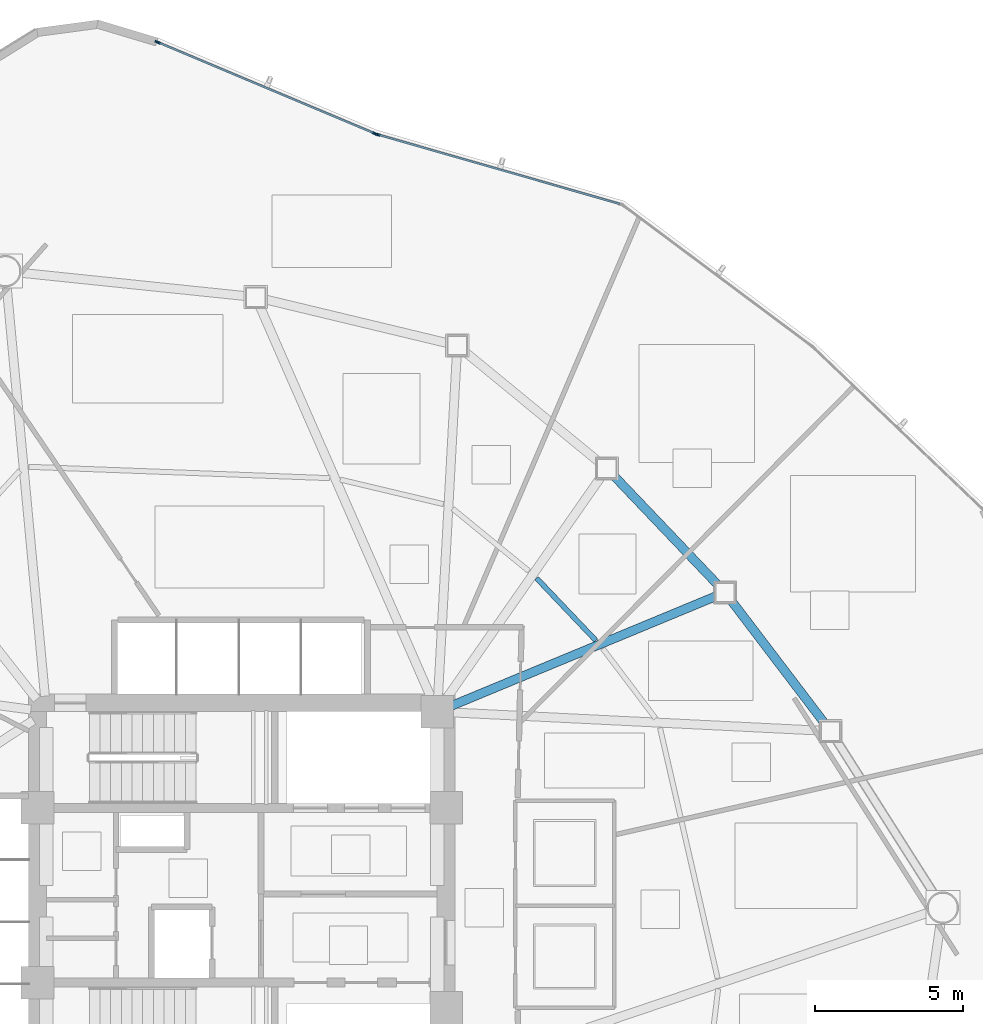
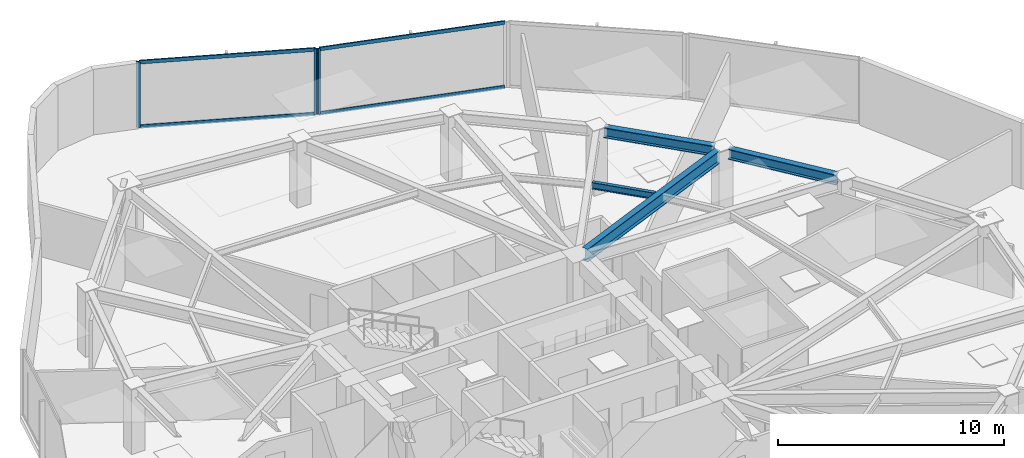
# One storey, part 8 of 17: 7 members, 4 beams, 2 elements without a shape of their own.
"""IFC4 building model written with IfcOpenShell, lengths in metres."""

from ifc_helpers import new_model, si_unit, direction, frame, origin, origin_2d, place, context, subcontext, project, spatial, hollow_rectangle, i_section, extrude, source, transform, mapped, material, layer, layer_set, material_profile, profile_set, type_object, type_shapes, element, aggregate, save


model = new_model("IFC4")

# Units and contexts
model_context = context("Model", 3, precision=1e-05, world=origin(), true_north=direction((0.0, 1.0)))
body_context = subcontext(model_context, "Body", "Model", "MODEL_VIEW")
ifc_project = project(units=[si_unit("LENGTHUNIT", "METRE"), si_unit("AREAUNIT", "SQUARE_METRE"), si_unit("VOLUMEUNIT", "CUBIC_METRE"), si_unit("PLANEANGLEUNIT", "RADIAN"), si_unit("MASSUNIT", "GRAM", prefix="KILO")], contexts=[model_context])

# Site, building, storey
site_placement = place(None, origin())
site = spatial("IfcSite", under=ifc_project, at=site_placement, CompositionType="ELEMENT")
building_placement = place(site_placement, origin())
building = spatial("IfcBuilding", under=site, at=building_placement, Name="Tavelor Broadcast Tower", CompositionType="ELEMENT")
storey_placement = place(building_placement, frame((0.0, 0.0, 115.60009765625)))
storey = spatial("IfcBuildingStorey", under=building, at=storey_placement, Name="L26", CompositionType="ELEMENT", Elevation=115.60009765625)

# Beams
ifc_material_1 = material(Name="Steel S355", Category="steel")
ifc_material_profile_1 = material_profile(ifc_material_1, i_section(OverallWidth=0.169921875, OverallDepth=0.360107421875, WebThickness=0.008056640625, FlangeThickness=0.0126953125, at=origin_2d()), Name="IPE 360")
ifc_profile_set_1 = profile_set([ifc_material_profile_1], Name="Steel S355")
beam_type_1 = type_object("IfcBeamType", Name="Composite Floor Joist T3 IPE 360", PredefinedType="JOIST", material=ifc_profile_set_1)
beam_1_placement = place(storey_placement, frame((61.960205078125, 53.60400390625, 3.369873046875), z_axis=(-0.689436692526, 0.724345944283, 0.0), x_axis=(-0.724345944283, -0.689436692526, 0.0)))
element("IfcBeam", 1, at=beam_1_placement, inside=storey, type_object=beam_type_1, Name="L26 Secondary Composite Floor Joist 15", PredefinedType="JOIST", context=body_context, shape_type="SweptSolid", body=[
    extrude(i_section(OverallWidth=0.169921875, OverallDepth=0.360107421875, WebThickness=0.008056640625, FlangeThickness=0.0126953125, at=origin_2d()), origin(), (0.0, 0.0, 1.0), 2.90234375),
])
ifc_material_profile_2 = material_profile(ifc_material_1, i_section(OverallWidth=0.300048828125, OverallDepth=0.550048828125, WebThickness=0.014892578125, FlangeThickness=0.029052734375, at=origin_2d()), Name="HEB 550")
ifc_profile_set_2 = profile_set([ifc_material_profile_2], Name="Steel S355")
beam_type_2 = type_object("IfcBeamType", Name="Perimeter Spandrel Beam T3 HEB 550", PredefinedType="SPANDREL", material=ifc_profile_set_2)
beam_2_placement = place(storey_placement, frame((69.6826171875, 50.8115234375, 3.27490234375), z_axis=(-0.605507005058, 0.795839975639, 0.0), x_axis=(-0.795839975639, -0.605507005058, 0.0)))
element("IfcBeam", 2, at=beam_2_placement, inside=storey, type_object=beam_type_2, Name="L26 Framed-Tube Ring Spandrel 14", PredefinedType="SPANDREL", context=body_context, shape_type="SweptSolid", body=[
    extrude(i_section(OverallWidth=0.300048828125, OverallDepth=0.550048828125, WebThickness=0.014892578125, FlangeThickness=0.029052734375, at=origin_2d()), origin(), (0.0, 0.0, 1.0), 5.214111328125),
])
beam_3_placement = place(storey_placement, frame((66.090087890625, 55.471923828125, 3.27490234375), z_axis=(-0.689928162502, 0.723877842309, 0.0), x_axis=(-0.723877842309, -0.689928162502, 0.0)))
element("IfcBeam", 3, at=beam_3_placement, inside=storey, type_object=beam_type_2, Name="L26 Framed-Tube Ring Spandrel 15", PredefinedType="SPANDREL", context=body_context, shape_type="SweptSolid", body=[
    extrude(i_section(OverallWidth=0.300048828125, OverallDepth=0.550048828125, WebThickness=0.014892578125, FlangeThickness=0.029052734375, at=origin_2d()), origin(), (0.0, 0.0, 1.0), 5.113037109375),
])
ifc_material_profile_3 = material_profile(ifc_material_1, i_section(OverallWidth=0.300048828125, OverallDepth=0.68994140625, WebThickness=0.014404296875, FlangeThickness=0.027099609375, at=origin_2d()), Name="HEA 700")
ifc_profile_set_3 = profile_set([ifc_material_profile_3], Name="Steel S355")
beam_type_3 = type_object("IfcBeamType", Name="Radial Floor Girder T3 HEA 700", PredefinedType="BEAM", material=ifc_profile_set_3)
beam_4_placement = place(storey_placement, frame((57.087890625, 51.402099609375, 3.204833984375), z_axis=(0.92381625254, 0.382836168018, 0.0), x_axis=(-0.382836168018, 0.92381625254, 0.0)))
element("IfcBeam", 4, at=beam_4_placement, inside=storey, type_object=beam_type_3, Name="L26 Radial Primary Floor Girder 15", PredefinedType="BEAM", context=body_context, shape_type="SweptSolid", body=[
    extrude(i_section(OverallWidth=0.300048828125, OverallDepth=0.68994140625, WebThickness=0.014404296875, FlangeThickness=0.027099609375, at=origin_2d()), origin(), (0.0, 0.0, 1.0), 9.659423828125),
])

# Curtain wall, member
ifc_material_2 = material(Name="Architectural Anodized Aluminium", Category="aluminium")
ifc_layer = layer(ifc_material_2, 0.18994140625)
ifc_layer_set = layer_set([ifc_layer], Name="Architectural Anodized Aluminium")
curtain_wall_type = type_object("IfcCurtainWallType", Name="Tower Mid-Zone Acoustic Curtain Wall CW03", PredefinedType="NOTDEFINED", material=ifc_layer_set)
curtain_wall_1_placement = place(storey_placement, origin())
curtain_wall_1 = element("IfcCurtainWall", 5, at=curtain_wall_1_placement, inside=storey, type_object=curtain_wall_type, Name="L26 Curtain Wall CW03 Run 263", PredefinedType="NOTDEFINED")
ifc_material_profile_4 = material_profile(ifc_material_2, hollow_rectangle(XDim=0.068115234375, YDim=0.18994140625, WallThickness=0.02197265625, at=origin_2d()), Name="RHS 68x190x22")
ifc_profile_set_4 = profile_set([ifc_material_profile_4], Name="Architectural Anodized Aluminium")
member_type_1 = type_object("IfcMemberType", Name="CW03 Extruded Aluminium Mullion 68x190", PredefinedType="MULLION", material=ifc_profile_set_4)
shared_shape_1 = source(origin(), body_context, "Body", "SweptSolid", [
    extrude(hollow_rectangle(XDim=0.068115234375, YDim=0.18994140625, WallThickness=0.02197265625, at=origin_2d()), origin(), (0.0, 0.0, 1.0), 3.5498046875),
])
type_shapes(member_type_1, [shared_shape_1])
member_1_placement = place(storey_placement, frame((54.5830078125, 70.694580078125, 0.0), z_axis=(0.0, 0.0, 1.0), x_axis=(-0.275462594939, -0.961311790622, 0.0)))
member_1 = element("IfcMember", 6, at=member_1_placement, type_object=member_type_1, Name="CW03 mullion 2", PredefinedType="MULLION", context=body_context, shape_type="MappedRepresentation", body=[
    mapped(shared_shape_1, transform((0.0, 0.0, 0.0), scale=1.0)),
])

# Curtain wall, members
curtain_wall_2_placement = place(storey_placement, origin())
curtain_wall_2 = element("IfcCurtainWall", 7, at=curtain_wall_2_placement, inside=storey, type_object=curtain_wall_type, Name="L26 Curtain Wall CW03 Run 264", PredefinedType="NOTDEFINED")
member_2_placement = place(storey_placement, frame((54.49072265625, 70.72705078125, 0.0), z_axis=(0.0, 0.0, 1.0), x_axis=(-0.387892626079, -0.921704567979, 0.0)))
member_2 = element("IfcMember", 8, at=member_2_placement, type_object=member_type_1, Name="CW03 mullion 1", PredefinedType="MULLION", context=body_context, shape_type="MappedRepresentation", body=[
    mapped(shared_shape_1, transform((0.0, 0.0, 0.0), scale=1.0)),
])
member_3_placement = place(storey_placement, frame((47.157958984375, 73.81298828125, 0.0), z_axis=(0.0, 0.0, 1.0), x_axis=(-0.387892626079, -0.921704567979, 0.0)))
member_3 = element("IfcMember", 9, at=member_3_placement, type_object=member_type_1, Name="CW03 mullion 2", PredefinedType="MULLION", context=body_context, shape_type="MappedRepresentation", body=[
    mapped(shared_shape_1, transform((0.0, 0.0, 0.0), scale=1.0)),
])
ifc_material_profile_5 = material_profile(ifc_material_2, hollow_rectangle(XDim=0.068115234375, YDim=0.18994140625, WallThickness=0.02197265625, at=origin_2d()), Name="RHS 68x190x22")
ifc_profile_set_5 = profile_set([ifc_material_profile_5], Name="Architectural Anodized Aluminium")
member_type_2 = type_object("IfcMemberType", Name="CW03 Extruded Aluminium Transom 68x190", PredefinedType="USERDEFINED", material=ifc_profile_set_5)
shared_shape_2 = source(origin(), body_context, "Body", "SweptSolid", [
    extrude(hollow_rectangle(XDim=0.068115234375, YDim=0.18994140625, WallThickness=0.02197265625, at=origin_2d()), origin(), (0.0, 0.0, 1.0), 7.8876953125),
])
member_4_placement = place(storey_placement, frame((54.45947265625, 70.740234375, 0.033935546875), z_axis=(-0.92170294681, 0.387896478253, 0.0), x_axis=(-0.387896478253, -0.92170294681, 0.0)))
member_4 = element("IfcMember", 10, at=member_4_placement, type_object=member_type_2, Name="CW03 transom 1.1", ObjectType="TRANSOM", PredefinedType="USERDEFINED", context=body_context, shape_type="MappedRepresentation", body=[
    mapped(shared_shape_2, transform((0.0, 0.0, 0.0), scale=1.0)),
])
member_5_placement = place(storey_placement, frame((54.45947265625, 70.740234375, 3.515869140625), z_axis=(-0.92170294681, 0.387896478253, 0.0), x_axis=(-0.387896478253, -0.92170294681, 0.0)))
member_5 = element("IfcMember", 11, at=member_5_placement, type_object=member_type_2, Name="CW03 transom 1.2", ObjectType="TRANSOM", PredefinedType="USERDEFINED", context=body_context, shape_type="MappedRepresentation", body=[
    mapped(shared_shape_2, transform((0.0, 0.0, 0.0), scale=1.0)),
])
aggregate(curtain_wall_2, [member_2, member_3, member_4, member_5])

# Member
shared_shape_3 = source(origin(), body_context, "Body", "SweptSolid", [
    extrude(hollow_rectangle(XDim=0.068115234375, YDim=0.18994140625, WallThickness=0.02197265625, at=origin_2d()), origin(), (0.0, 0.0, 1.0), 8.484130859375),
])
type_shapes(member_type_2, [shared_shape_2, shared_shape_3])
member_6_placement = place(storey_placement, frame((62.771728515625, 68.34814453125, 0.033935546875), z_axis=(-0.961317358525, 0.275443163283, 0.0), x_axis=(-0.275443163283, -0.961317358525, 0.0)))
member_6 = element("IfcMember", 12, at=member_6_placement, type_object=member_type_2, Name="CW03 transom 1.1", ObjectType="TRANSOM", PredefinedType="USERDEFINED", context=body_context, shape_type="MappedRepresentation", body=[
    mapped(shared_shape_3, transform((0.0, 0.0, 0.0), scale=1.0)),
])

member_7_placement = place(storey_placement, frame((62.771728515625, 68.34814453125, 3.515869140625), z_axis=(-0.961317358525, 0.275443163283, 0.0), x_axis=(-0.275443163283, -0.961317358525, 0.0)))
member_7 = element("IfcMember", 13, at=member_7_placement, type_object=member_type_2, Name="CW03 transom 1.2", ObjectType="TRANSOM", PredefinedType="USERDEFINED", context=body_context, shape_type="MappedRepresentation", body=[
    mapped(shared_shape_3, transform((0.0, 0.0, 0.0), scale=1.0)),
])

aggregate(curtain_wall_1, [member_1, member_6, member_7])

save(model, "model.ifc")
